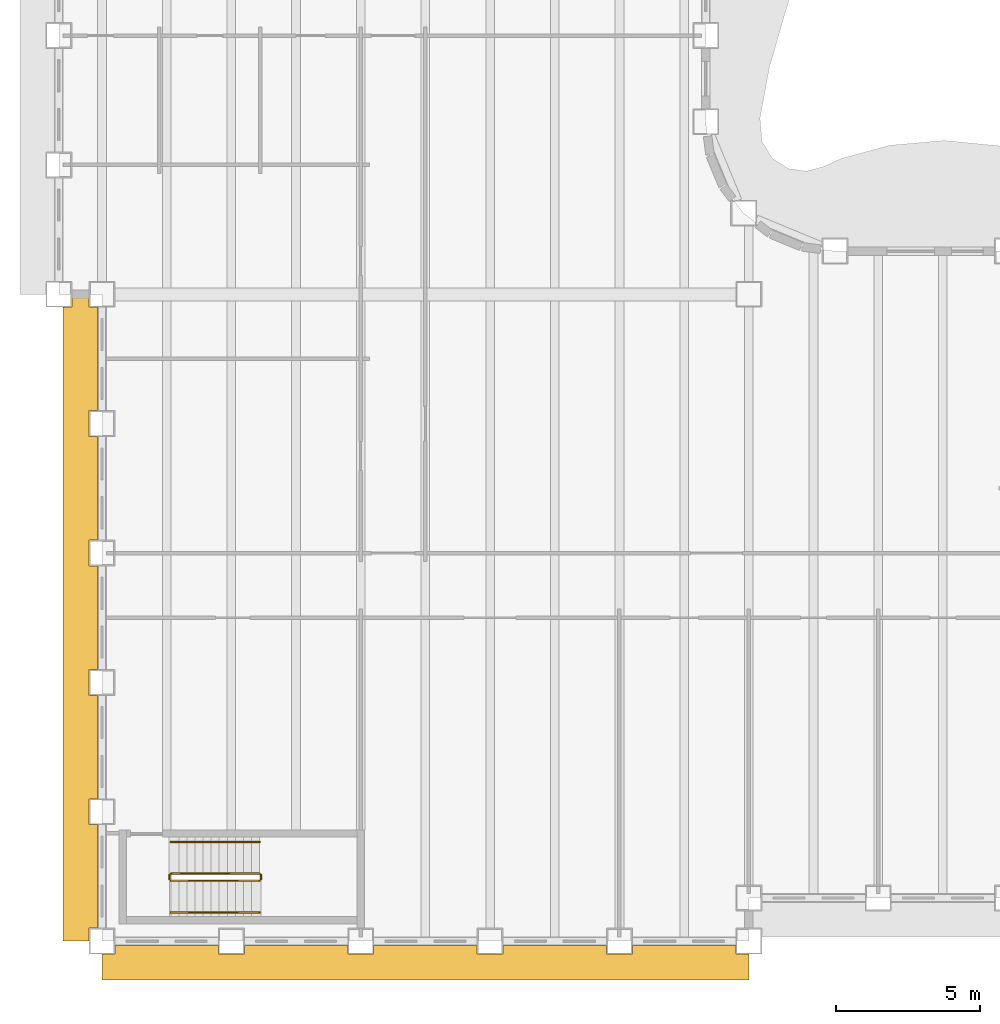
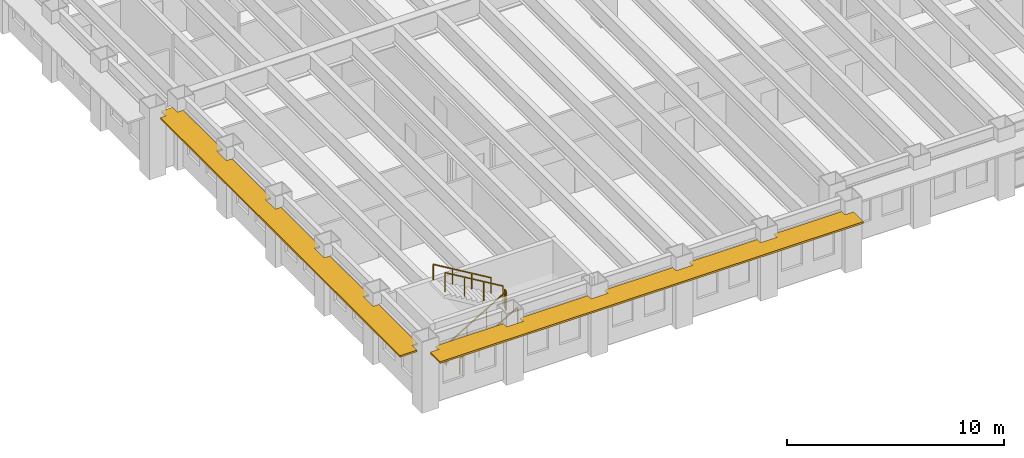
# One storey, part 12 of 17: 6 railings, 2 shading devices.
"""IFC4 building model written with IfcOpenShell, lengths in metres."""

from ifc_helpers import new_model, si_unit, direction, frame, origin, origin_2d, place, context, subcontext, project, spatial, polyline, rectangle, outline, extrude, material, layer, layer_set, type_object, element, save


model = new_model("IFC4")

# Units and contexts
model_context = context("Model", 3, precision=1e-05, world=origin(), true_north=direction((0.0, 1.0)))
body_context = subcontext(model_context, "Body", "Model", "MODEL_VIEW")
ifc_project = project(units=[si_unit("LENGTHUNIT", "METRE"), si_unit("AREAUNIT", "SQUARE_METRE"), si_unit("VOLUMEUNIT", "CUBIC_METRE"), si_unit("PLANEANGLEUNIT", "RADIAN"), si_unit("MASSUNIT", "GRAM", prefix="KILO")], contexts=[model_context])

# Site, building, storey
site_placement = place(None, origin())
site = spatial("IfcSite", under=ifc_project, at=site_placement, CompositionType="ELEMENT")
building_placement = place(site_placement, origin())
building = spatial("IfcBuilding", under=site, at=building_placement, Name="Sennacour Bend Tower", CompositionType="ELEMENT")
storey_placement = place(building_placement, frame((0.0, 0.0, 155.0)))
storey = spatial("IfcBuildingStorey", under=building, at=storey_placement, Name="L35", CompositionType="ELEMENT", Elevation=155.0)

# Railings
ifc_material_1 = material(Name="Stainless steel", Category="steel")
railing_type_1 = type_object("IfcRailingType", Name="RL-GUARD-1100", PredefinedType="GUARDRAIL", material=ifc_material_1)
railing_1_placement = place(storey_placement, frame((2.39990234375, 2.10009765625, 0.166748046875)))
element("IfcRailing", 1, at=railing_1_placement, inside=storey, type_object=railing_type_1, Name="L35 SK1 stair guard 1", PredefinedType="GUARDRAIL", context=body_context, shape_type="SweptSolid", body=[
    extrude(rectangle(XDim=0.048095703125, YDim=0.048095703125, at=origin_2d()), frame((0.0, 0.0, 1.076171875), z_axis=(0.859308565015, 0.0, 0.511457515432), x_axis=(0.0, 1.0, 0.0)), (0.0, 0.0, 1.0), 3.58447265625),
    extrude(rectangle(XDim=0.0419921875, YDim=0.0419921875, at=origin_2d()), origin(), (0.0, 0.0, 1.0), 1.052001953125),
    extrude(rectangle(XDim=0.0419921875, YDim=0.0419921875, at=origin_2d()), frame((1.026611328125, 0.0, 0.611083984375)), (0.0, 0.0, 1.0), 1.052001953125),
    extrude(rectangle(XDim=0.0419921875, YDim=0.0419921875, at=origin_2d()), frame((2.053466796875, 0.0, 1.22216796875)), (0.0, 0.0, 1.0), 1.052001953125),
    extrude(rectangle(XDim=0.0419921875, YDim=0.0419921875, at=origin_2d()), frame((3.080078125, 0.0, 1.833251953125)), (0.0, 0.0, 1.0), 1.052001953125),
])
railing_2_placement = place(storey_placement, frame((5.530029296875, 2.14990234375, 2.0)))
element("IfcRailing", 2, at=railing_2_placement, inside=storey, type_object=railing_type_1, Name="L35 SK1 stair guard 2", PredefinedType="GUARDRAIL", context=body_context, shape_type="SweptSolid", body=[
    extrude(rectangle(XDim=0.048095703125, YDim=0.048095703125, at=origin_2d()), frame((0.0, 0.0, 1.076171875), z_axis=(0.0, 1.0, 0.0), x_axis=(-1.0, 0.0, 0.0)), (0.0, 0.0, 1.0), 0.150146484375),
    extrude(rectangle(XDim=0.0419921875, YDim=0.0419921875, at=origin_2d()), origin(), (0.0, 0.0, 1.0), 1.052001953125),
    extrude(rectangle(XDim=0.0419921875, YDim=0.0419921875, at=origin_2d()), frame((0.0, 0.150146484375, 0.0)), (0.0, 0.0, 1.0), 1.052001953125),
])
railing_3_placement = place(storey_placement, frame((5.47998046875, 2.35009765625, 2.166748046875)))
element("IfcRailing", 3, at=railing_3_placement, inside=storey, type_object=railing_type_1, Name="L35 SK1 stair guard 3", PredefinedType="GUARDRAIL", context=body_context, shape_type="SweptSolid", body=[
    extrude(rectangle(XDim=0.048095703125, YDim=0.048095703125, at=origin_2d()), frame((0.0, 0.0, 1.076171875), z_axis=(-0.859308565015, 0.0, 0.511457515432), x_axis=(0.0, -1.0, 0.0)), (0.0, 0.0, 1.0), 3.58447265625),
    extrude(rectangle(XDim=0.0419921875, YDim=0.0419921875, at=origin_2d()), origin(), (0.0, 0.0, 1.0), 1.052001953125),
    extrude(rectangle(XDim=0.0419921875, YDim=0.0419921875, at=origin_2d()), frame((-1.026611328125, 0.0, 0.611083984375)), (0.0, 0.0, 1.0), 1.052001953125),
    extrude(rectangle(XDim=0.0419921875, YDim=0.0419921875, at=origin_2d()), frame((-2.053466796875, 0.0, 1.22216796875)), (0.0, 0.0, 1.0), 1.052001953125),
    extrude(rectangle(XDim=0.0419921875, YDim=0.0419921875, at=origin_2d()), frame((-3.080078125, 0.0, 1.833251953125)), (0.0, 0.0, 1.0), 1.052001953125),
])
railing_4_placement = place(storey_placement, frame((2.35009765625, 2.14990234375, 0.0)))
element("IfcRailing", 4, at=railing_4_placement, inside=storey, type_object=railing_type_1, Name="L35 SK1 stair guard 4", PredefinedType="GUARDRAIL", context=body_context, shape_type="SweptSolid", body=[
    extrude(rectangle(XDim=0.048095703125, YDim=0.048095703125, at=origin_2d()), frame((0.0, 0.0, 1.076171875), z_axis=(0.0, 1.0, 0.0), x_axis=(-1.0, 0.0, 0.0)), (0.0, 0.0, 1.0), 0.150146484375),
    extrude(rectangle(XDim=0.0419921875, YDim=0.0419921875, at=origin_2d()), origin(), (0.0, 0.0, 1.0), 1.052001953125),
    extrude(rectangle(XDim=0.0419921875, YDim=0.0419921875, at=origin_2d()), frame((0.0, 0.150146484375, 0.0)), (0.0, 0.0, 1.0), 1.052001953125),
])
railing_type_2 = type_object("IfcRailingType", Name="RL-HANDRAIL-900", PredefinedType="HANDRAIL", material=ifc_material_1)
railing_5_placement = place(storey_placement, frame((2.39990234375, 1.0, 0.166748046875)))
element("IfcRailing", 5, at=railing_5_placement, inside=storey, type_object=railing_type_2, Name="L35 SK1 stair handrail 1", PredefinedType="HANDRAIL", context=body_context, shape_type="SweptSolid", body=[
    extrude(rectangle(XDim=0.048095703125, YDim=0.048095703125, at=origin_2d()), frame((0.0, 0.0, 0.8759765625), z_axis=(0.859308565015, 0.0, 0.511457515432), x_axis=(0.0, 1.0, 0.0)), (0.0, 0.0, 1.0), 3.58447265625),
    extrude(rectangle(XDim=0.0419921875, YDim=0.0419921875, at=origin_2d()), origin(), (0.0, 0.0, 1.0), 0.851806640625),
    extrude(rectangle(XDim=0.0419921875, YDim=0.0419921875, at=origin_2d()), frame((1.026611328125, 0.0, 0.611083984375)), (0.0, 0.0, 1.0), 0.851806640625),
    extrude(rectangle(XDim=0.0419921875, YDim=0.0419921875, at=origin_2d()), frame((2.053466796875, 0.0, 1.22216796875)), (0.0, 0.0, 1.0), 0.851806640625),
    extrude(rectangle(XDim=0.0419921875, YDim=0.0419921875, at=origin_2d()), frame((3.080078125, 0.0, 1.833251953125)), (0.0, 0.0, 1.0), 0.851806640625),
])
railing_6_placement = place(storey_placement, frame((5.47998046875, 3.449951171875, 2.166748046875)))
element("IfcRailing", 6, at=railing_6_placement, inside=storey, type_object=railing_type_2, Name="L35 SK1 stair handrail 2", PredefinedType="HANDRAIL", context=body_context, shape_type="SweptSolid", body=[
    extrude(rectangle(XDim=0.048095703125, YDim=0.048095703125, at=origin_2d()), frame((0.0, 0.0, 0.8759765625), z_axis=(-0.859308565015, 0.0, 0.511457515432), x_axis=(0.0, -1.0, 0.0)), (0.0, 0.0, 1.0), 3.58447265625),
    extrude(rectangle(XDim=0.0419921875, YDim=0.0419921875, at=origin_2d()), origin(), (0.0, 0.0, 1.0), 0.851806640625),
    extrude(rectangle(XDim=0.0419921875, YDim=0.0419921875, at=origin_2d()), frame((-1.026611328125, 0.0, 0.611083984375)), (0.0, 0.0, 1.0), 0.851806640625),
    extrude(rectangle(XDim=0.0419921875, YDim=0.0419921875, at=origin_2d()), frame((-2.053466796875, 0.0, 1.22216796875)), (0.0, 0.0, 1.0), 0.851806640625),
    extrude(rectangle(XDim=0.0419921875, YDim=0.0419921875, at=origin_2d()), frame((-3.080078125, 0.0, 1.833251953125)), (0.0, 0.0, 1.0), 0.851806640625),
])

# Shading devices
ifc_material_2 = material(Name="Bronze anodised aluminium", Category="aluminium")
ifc_layer = layer(ifc_material_2, 0.10009765625, Name="Bronze anodised aluminium", Category="aluminium")
ifc_layer_set = layer_set([ifc_layer], Name="Bronze anodised aluminium")
shading_device_type = type_object("IfcShadingDeviceType", Name="SUNSHADE BAND STRAIGHT", PredefinedType="USERDEFINED", material=ifc_layer_set)
shading_device_1_placement = place(storey_placement, frame((0.0, 0.0, 3.049072265625)))
element("IfcShadingDevice", 7, at=shading_device_1_placement, inside=storey, type_object=shading_device_type, Name="Sunshade band L35 K outer face", ObjectType="SUNSHADE", PredefinedType="USERDEFINED", context=body_context, shape_type="SweptSolid", body=[
    extrude(outline(polyline([(4.050048828125, -0.14990234375), (4.050048828125, -0.449951171875), (4.949951171875, -0.449951171875), (4.949951171875, -0.14990234375), (8.550048828125, -0.14990234375), (8.550048828125, -0.449951171875), (9.449951171875, -0.449951171875), (9.449951171875, -0.14990234375), (13.050048828125, -0.14990234375), (13.050048828125, -0.449951171875), (13.949951171875, -0.449951171875), (13.949951171875, -0.14990234375), (17.550048828125, -0.14990234375), (17.550048828125, -0.449951171875), (18.449951171875, -0.449951171875), (18.449951171875, -0.14990234375), (22.050048828125, -0.14990234375), (22.050048828125, -0.449951171875), (22.5, -0.449951171875), (22.5, -1.35009765625), (0.0, -1.35009765625), (0.0, -0.449951171875), (0.449951171875, -0.449951171875), (0.449951171875, -0.14990234375), (4.050048828125, -0.14990234375)])), origin(), (0.0, 0.0, 1.0), 0.099853515625),
])
shading_device_2_placement = place(storey_placement, frame((0.0, 0.0, 3.049072265625)))
element("IfcShadingDevice", 8, at=shading_device_2_placement, inside=storey, type_object=shading_device_type, Name="Sunshade band L35 K outer face", ObjectType="SUNSHADE", PredefinedType="USERDEFINED", context=body_context, shape_type="SweptSolid", body=[
    extrude(outline(polyline([(-0.14990234375, 18.449951171875), (-0.449951171875, 18.449951171875), (-0.449951171875, 17.550048828125), (-0.14990234375, 17.550048828125), (-0.14990234375, 13.949951171875), (-0.449951171875, 13.949951171875), (-0.449951171875, 13.050048828125), (-0.14990234375, 13.050048828125), (-0.14990234375, 9.449951171875), (-0.449951171875, 9.449951171875), (-0.449951171875, 8.550048828125), (-0.14990234375, 8.550048828125), (-0.14990234375, 4.949951171875), (-0.449951171875, 4.949951171875), (-0.449951171875, 4.050048828125), (-0.14990234375, 4.050048828125), (-0.14990234375, 0.449951171875), (-0.449951171875, 0.449951171875), (-0.449951171875, 0.0), (-1.35009765625, 0.0), (-1.35009765625, 22.050048828125), (-1.050048828125, 22.050048828125), (-1.050048828125, 22.5), (-0.449951171875, 22.5), (-0.449951171875, 22.050048828125), (-0.14990234375, 22.050048828125), (-0.14990234375, 18.449951171875)])), origin(), (0.0, 0.0, 1.0), 0.099853515625),
])

save(model, "model.ifc")
